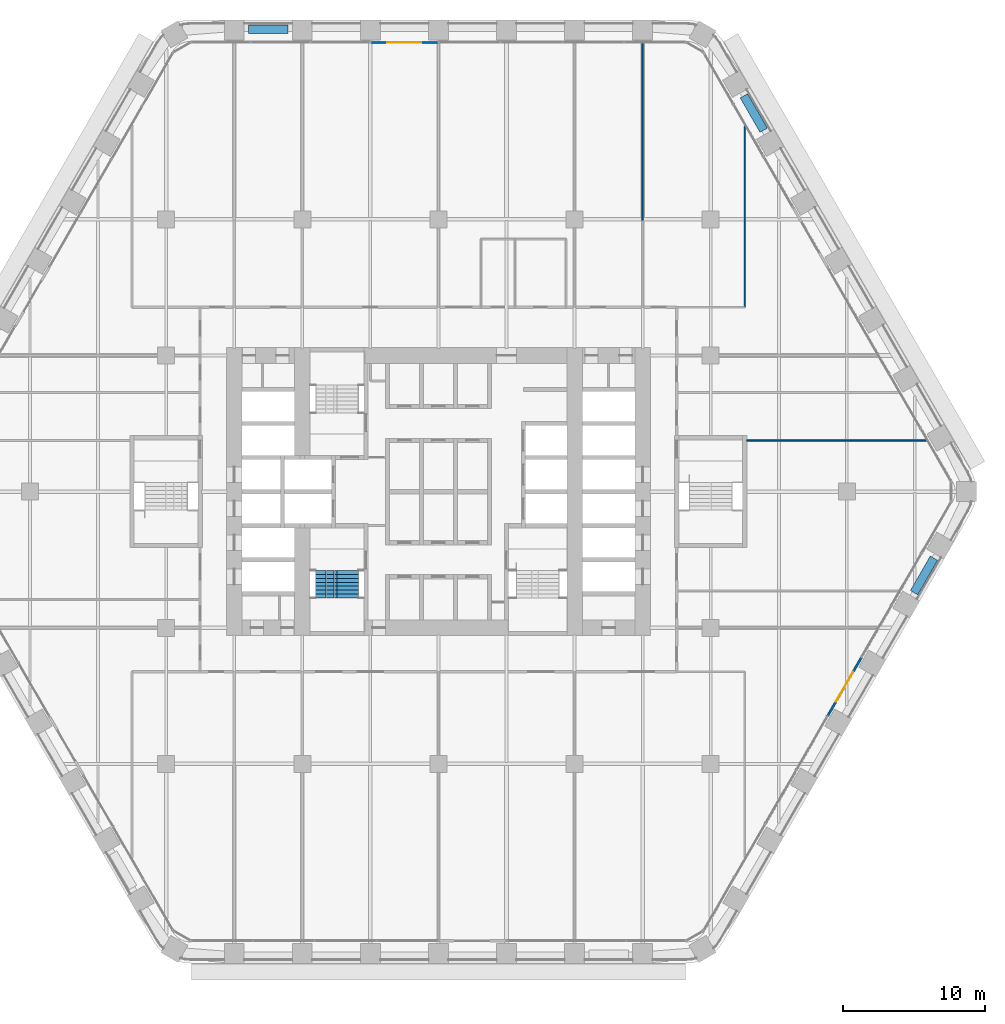
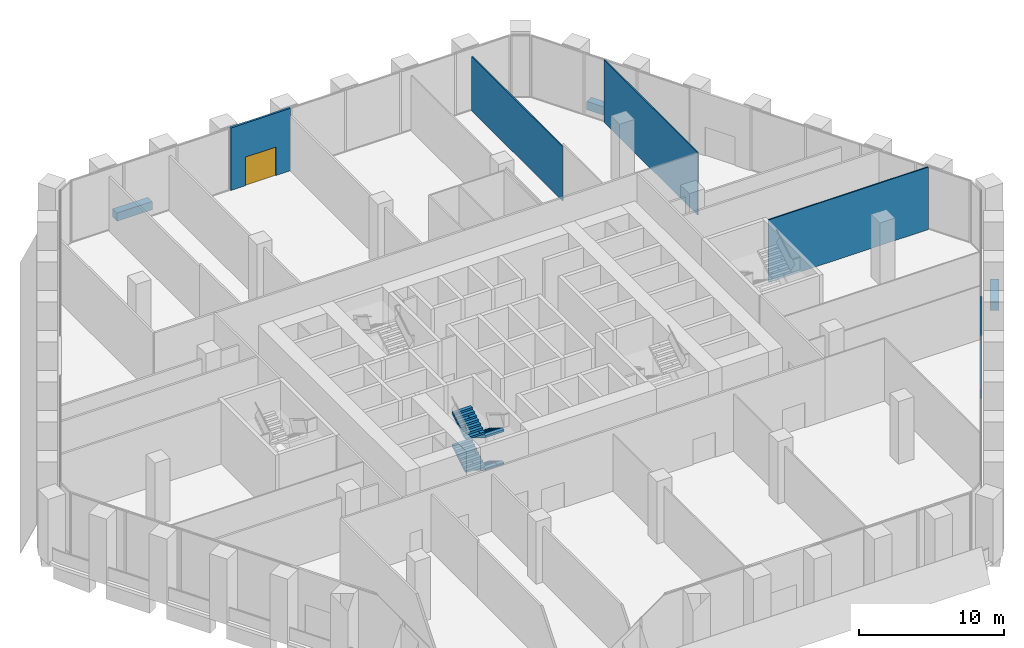
# One storey, part 22 of 27: 8 walls, 4 stair flights, 2 doors, 2 openings, 1 element without a shape of its own.
"""IFC4 building model written with IfcOpenShell, lengths in metres."""

from ifc_helpers import new_model, si_unit, direction, frame, frame_2d, origin, place, context, subcontext, project, spatial, polyline, rectangle, outline, extrude, material, layer, layer_set, type_object, element, fill, aggregate, save


model = new_model("IFC4")

# Units and contexts
model_context = context("Model", 3, precision=1e-05, world=origin(), true_north=direction((0.0, 1.0)))
body_context = subcontext(model_context, "Body", "Model", "MODEL_VIEW")
ifc_project = project(units=[si_unit("LENGTHUNIT", "METRE"), si_unit("AREAUNIT", "SQUARE_METRE"), si_unit("VOLUMEUNIT", "CUBIC_METRE"), si_unit("PLANEANGLEUNIT", "RADIAN"), si_unit("MASSUNIT", "GRAM", prefix="KILO")], contexts=[model_context])

# Site, building, storey
site_placement = place(None, origin())
site = spatial("IfcSite", under=ifc_project, at=site_placement, CompositionType="ELEMENT")
building_placement = place(site_placement, origin())
building = spatial("IfcBuilding", under=site, at=building_placement, Name="Kolab Exchange Tower", CompositionType="ELEMENT")
storey_placement = place(building_placement, frame((0.0, 0.0, 27.89990234375)))
storey = spatial("IfcBuildingStorey", under=building, at=storey_placement, Name="L05", CompositionType="ELEMENT", Elevation=27.89990234375)

# Wall, opening, door
ifc_material_1 = material(Name="Aluminium EN AW-6063 T6", Category="aluminium")
ifc_layer_1 = layer(ifc_material_1, 0.159912109375)
ifc_layer_set_1 = layer_set([ifc_layer_1], Name="Aluminium EN AW-6063 T6")
wall_type_1 = type_object("IfcWallType", Name="DOOR SURROUND WALL 160 ALUMINIUM FRAMED", PredefinedType="PARTITIONING", material=ifc_layer_set_1)
wall_1_placement = place(storey_placement, frame((-4.77001953125, 31.67529296875, 0.0), z_axis=(0.0, 0.0, 1.0), x_axis=(1.0, 0.0, 0.0)))
wall_1 = element("IfcWall", 1, at=wall_1_placement, inside=storey, type_object=wall_type_1, Name="Door surround wall", PredefinedType="PARTITIONING", context=body_context, shape_type="SweptSolid", body=[
    extrude(rectangle(XDim=4.739990234375, YDim=0.159912109375, at=frame_2d((2.3701171875, 0.0))), origin(), (0.0, 0.0, 1.0), 5.25),
])
opening_1_placement = place(wall_1_placement, frame((1.169921875, 0.0, 0.0)))
opening_1 = element("IfcOpeningElement", 2, at=opening_1_placement, cuts=wall_1, Name="Opening GD1-017", PredefinedType="OPENING", context=body_context, shape_type="SweptSolid", body=[
    extrude(rectangle(XDim=2.39990234375, YDim=2.39990234375, at=frame_2d((1.199951171875, 1.199951171875))), frame((0.0, 0.08984375, 0.0), z_axis=(0.0, -1.0, 0.0), x_axis=(1.0, 0.0, 0.0)), (0.0, 0.0, 1.0), 0.179931640625),
])
door_type = type_object("IfcDoorType", Name="LOGGIA SLIDING GLASS DOOR 2400 X 2400", OperationType="DOUBLE_DOOR_SINGLE_SWING", PredefinedType="DOOR", material=ifc_material_1)
door_1_placement = place(opening_1_placement, origin())
door_1 = element("IfcDoor", 3, at=door_1_placement, inside=storey, type_object=door_type, Name="Loggia door", OperationType="DOUBLE_DOOR_SLIDING", OverallHeight=2.39990234375, OverallWidth=2.39990234375, PredefinedType="DOOR", context=body_context, shape_type="SweptSolid", body=[
    extrude(rectangle(XDim=2.39990234375, YDim=2.39990234375, at=frame_2d((1.199951171875, 1.199951171875))), frame((0.0, 0.02490234375, 0.0), z_axis=(0.0, -1.0, 0.0), x_axis=(1.0, 0.0, 0.0)), (0.0, 0.0, 1.0), 0.050048828125),
])
fill(opening_1, door_1)

wall_2_placement = place(storey_placement, frame((29.816650390625, -11.706787109375, 0.0), z_axis=(0.0, 0.0, 1.0), x_axis=(-0.499978080042, -0.866038058908, 0.0)))
wall_2 = element("IfcWall", 4, at=wall_2_placement, inside=storey, type_object=wall_type_1, Name="Door surround wall", PredefinedType="PARTITIONING", context=body_context, shape_type="SweptSolid", body=[
    extrude(rectangle(XDim=4.739990234375, YDim=0.159912109375, at=frame_2d((2.3701171875, 0.0))), origin(), (0.0, 0.0, 1.0), 5.25),
])
opening_2_placement = place(wall_2_placement, frame((1.169921875, 0.0, 0.0)))
opening_2 = element("IfcOpeningElement", 5, at=opening_2_placement, cuts=wall_2, Name="Opening GD1-019", PredefinedType="OPENING", context=body_context, shape_type="SweptSolid", body=[
    extrude(rectangle(XDim=2.39990234375, YDim=2.39990234375, at=frame_2d((1.199951171875, 1.199951171875))), frame((0.0, 0.08984375, 0.0), z_axis=(0.0, -1.0, 0.0), x_axis=(1.0, 0.0, 0.0)), (0.0, 0.0, 1.0), 0.179931640625),
])
door_2_placement = place(opening_2_placement, origin())
door_2 = element("IfcDoor", 6, at=door_2_placement, inside=storey, type_object=door_type, Name="Loggia door", OperationType="DOUBLE_DOOR_SLIDING", OverallHeight=2.39990234375, OverallWidth=2.39990234375, PredefinedType="DOOR", context=body_context, shape_type="SweptSolid", body=[
    extrude(rectangle(XDim=2.39990234375, YDim=2.39990234375, at=frame_2d((1.199951171875, 1.199951171875))), frame((0.0, 0.02490234375, 0.0), z_axis=(0.0, -1.0, 0.0), x_axis=(1.0, 0.0, 0.0)), (0.0, 0.0, 1.0), 0.050048828125),
])
fill(opening_2, door_2)

# Walls
ifc_material_2 = material(Name="Gypsum board", Category="gypsum")
ifc_layer_2 = layer(ifc_material_2, 0.10009765625)
ifc_layer_set_2 = layer_set([ifc_layer_2], Name="Gypsum board")
wall_type_2 = type_object("IfcWallType", Name="PARTITION 100", PredefinedType="PARTITIONING", material=ifc_layer_set_2)
wall_3_placement = place(storey_placement, frame((21.60009765625, 13.0, 0.0), z_axis=(0.0, 0.0, 1.0), x_axis=(0.0, 1.0, 0.0)))
element("IfcWall", 7, at=wall_3_placement, inside=storey, type_object=wall_type_2, Name="Partition 001", PredefinedType="PARTITIONING", context=body_context, shape_type="SweptSolid", body=[
    extrude(rectangle(XDim=12.8583984375, YDim=0.10009765625, at=frame_2d((6.42919921875, 0.0))), origin(), (0.0, 0.0, 1.0), 5.25),
])
wall_4_placement = place(storey_placement, frame((14.39990234375, 19.113037109375, 0.0), z_axis=(0.0, 0.0, 1.0), x_axis=(0.0, 1.0, 0.0)))
element("IfcWall", 8, at=wall_4_placement, inside=storey, type_object=wall_type_2, Name="Partition 004", PredefinedType="PARTITIONING", context=body_context, shape_type="SweptSolid", body=[
    extrude(rectangle(XDim=12.472412109375, YDim=0.10009765625, at=frame_2d((6.236328125, 0.0))), origin(), (0.0, 0.0, 1.0), 4.566162109375),
])
wall_5_placement = place(storey_placement, frame((21.75, 3.60009765625, 0.0), z_axis=(0.0, 0.0, 1.0), x_axis=(1.0, 0.0, 0.0)))
element("IfcWall", 9, at=wall_5_placement, inside=storey, type_object=wall_type_2, Name="Partition 039", PredefinedType="PARTITIONING", context=body_context, shape_type="SweptSolid", body=[
    extrude(rectangle(XDim=12.700927734375, YDim=0.10009765625, at=frame_2d((6.3505859375, 0.0))), origin(), (0.0, 0.0, 1.0), 5.25),
])
ifc_material_3 = material(Name="Granite facing", Category="masonry")
ifc_layer_3 = layer(ifc_material_3, 0.0400390625)
ifc_material_4 = material(Name="Concrete C40/50 precast", Category="concrete")
ifc_layer_4 = layer(ifc_material_4, 0.56005859375)
ifc_layer_set_3 = layer_set([ifc_layer_3, ifc_layer_4], Name="Concrete C40/50 precast")
wall_type_3 = type_object("IfcWallType", Name="PLANTER BOX 600 X 700 SOIL DEPTH 550", PredefinedType="USERDEFINED", material=ifc_layer_set_3)
for number, where, z_axis, x_axis, name in (
    (10, (-13.39990234375, 32.60546875, 0.0), (0.0, 0.0, 1.0), (1.0, 0.0, 0.0), "Planter"),
    (11, (21.537109375, 27.907470703125, 0.0), (0.0, 0.0, 1.0), (0.49998411664, -0.866034573852, 0.0), "Planter"),
    (12, (34.93701171875, -4.697998046875, 0.0), (0.0, 0.0, 1.0), (-0.49998411664, -0.866034573852, 0.0), "Planter"),
):
    element("IfcWall", number, at=place(storey_placement, frame(where, z_axis=z_axis, x_axis=x_axis)), inside=storey, type_object=wall_type_3, Name=name, ObjectType="PLANTER", PredefinedType="USERDEFINED", context=body_context, shape_type="SweptSolid", body=[
        extrude(rectangle(XDim=2.7998046875, YDim=0.60009765625, at=frame_2d((1.39990234375, 0.0))), origin(), (0.0, 0.0, 1.0), 0.7001953125),
    ])

# Stair, stair flights
ifc_material_5 = material(Name="Concrete C50/60", Category="concrete")
stair_type = type_object("IfcStairType", Name="STAIR ST3 RISER 171.9", PredefinedType="DOUBLE_RETURN_STAIR", material=ifc_material_5)
stair_placement = place(storey_placement, origin())
stair = element("IfcStair", 13, at=stair_placement, inside=storey, type_object=stair_type, Name="Stair 3", PredefinedType="DOUBLE_RETURN_STAIR")
stair_flight_type = type_object("IfcStairFlightType", Name="STAIR FLIGHT 1500 RISER 171.9", PredefinedType="STRAIGHT", material=ifc_material_5)
stair_flight_1_placement = place(storey_placement, frame((-6.389892578125, -5.550048828125, 0.0), z_axis=(0.0, 0.0, 1.0), x_axis=(0.0, -1.0, 0.0)))
stair_flight_1 = element("IfcStairFlight", 14, at=stair_flight_1_placement, type_object=stair_flight_type, Name="ST3 flight 1", NumberOfRisers=8, NumberOfTreads=7, PredefinedType="STRAIGHT", RiserHeight=0.171875, TreadLength=0.28, context=body_context, shape_type="SweptSolid", body=[
    extrude(outline(polyline([(0.0, 0.0), (0.0, 0.171875), (0.280029296875, 0.171875), (0.280029296875, 0.34375), (0.56005859375, 0.34375), (0.56005859375, 0.515625), (0.840087890625, 0.515625), (0.840087890625, 0.6875), (1.1201171875, 0.6875), (1.1201171875, 0.859375), (1.39990234375, 0.859375), (1.39990234375, 1.03125), (1.679931640625, 1.03125), (1.679931640625, 1.203125), (1.9599609375, 1.203125), (1.9599609375, 1.375), (1.9599609375, 1.02734375), (0.28662109375, 0.0), (0.0, 0.0)])), frame((0.0, 0.75, 0.0), z_axis=(0.0, -1.0, 0.0), x_axis=(1.0, 0.0, 0.0)), (0.0, 0.0, 1.0), 0.185791015625),
    extrude(outline(polyline([(0.0, 0.0), (0.0, 0.171875), (0.280029296875, 0.171875), (0.280029296875, 0.34375), (0.56005859375, 0.34375), (0.56005859375, 0.515625), (0.840087890625, 0.515625), (0.840087890625, 0.6875), (1.1201171875, 0.6875), (1.1201171875, 0.859375), (1.39990234375, 0.859375), (1.39990234375, 1.03125), (1.679931640625, 1.03125), (1.679931640625, 1.203125), (1.9599609375, 1.203125), (1.9599609375, 1.375), (1.9599609375, 1.02734375), (0.28662109375, 0.0), (0.0, 0.0)])), frame((0.0, 0.562255859375, 0.0), z_axis=(0.0, -1.0, 0.0), x_axis=(1.0, 0.0, 0.0)), (0.0, 0.0, 1.0), 0.185791015625),
    extrude(outline(polyline([(0.0, 0.0), (0.0, 0.171875), (0.280029296875, 0.171875), (0.280029296875, 0.34375), (0.56005859375, 0.34375), (0.56005859375, 0.515625), (0.840087890625, 0.515625), (0.840087890625, 0.6875), (1.1201171875, 0.6875), (1.1201171875, 0.859375), (1.39990234375, 0.859375), (1.39990234375, 1.03125), (1.679931640625, 1.03125), (1.679931640625, 1.203125), (1.9599609375, 1.203125), (1.9599609375, 1.375), (1.9599609375, 1.02734375), (0.28662109375, 0.0), (0.0, 0.0)])), frame((0.0, 0.37451171875, 0.0), z_axis=(0.0, -1.0, 0.0), x_axis=(1.0, 0.0, 0.0)), (0.0, 0.0, 1.0), 0.185791015625),
    extrude(outline(polyline([(0.0, 0.0), (0.0, 0.171875), (0.280029296875, 0.171875), (0.280029296875, 0.34375), (0.56005859375, 0.34375), (0.56005859375, 0.515625), (0.840087890625, 0.515625), (0.840087890625, 0.6875), (1.1201171875, 0.6875), (1.1201171875, 0.859375), (1.39990234375, 0.859375), (1.39990234375, 1.03125), (1.679931640625, 1.03125), (1.679931640625, 1.203125), (1.9599609375, 1.203125), (1.9599609375, 1.375), (1.9599609375, 1.02734375), (0.28662109375, 0.0), (0.0, 0.0)])), frame((0.0, 0.186767578125, 0.0), z_axis=(0.0, -1.0, 0.0), x_axis=(1.0, 0.0, 0.0)), (0.0, 0.0, 1.0), 0.185791015625),
    extrude(outline(polyline([(0.0, 0.0), (0.0, 0.171875), (0.280029296875, 0.171875), (0.280029296875, 0.34375), (0.56005859375, 0.34375), (0.56005859375, 0.515625), (0.840087890625, 0.515625), (0.840087890625, 0.6875), (1.1201171875, 0.6875), (1.1201171875, 0.859375), (1.39990234375, 0.859375), (1.39990234375, 1.03125), (1.679931640625, 1.03125), (1.679931640625, 1.203125), (1.9599609375, 1.203125), (1.9599609375, 1.375), (1.9599609375, 1.02734375), (0.28662109375, 0.0), (0.0, 0.0)])), frame((0.0, -0.0009765625, 0.0), z_axis=(0.0, -1.0, 0.0), x_axis=(1.0, 0.0, 0.0)), (0.0, 0.0, 1.0), 0.185791015625),
    extrude(outline(polyline([(0.0, 0.0), (0.0, 0.171875), (0.280029296875, 0.171875), (0.280029296875, 0.34375), (0.56005859375, 0.34375), (0.56005859375, 0.515625), (0.840087890625, 0.515625), (0.840087890625, 0.6875), (1.1201171875, 0.6875), (1.1201171875, 0.859375), (1.39990234375, 0.859375), (1.39990234375, 1.03125), (1.679931640625, 1.03125), (1.679931640625, 1.203125), (1.9599609375, 1.203125), (1.9599609375, 1.375), (1.9599609375, 1.02734375), (0.28662109375, 0.0), (0.0, 0.0)])), frame((0.0, -0.188720703125, 0.0), z_axis=(0.0, -1.0, 0.0), x_axis=(1.0, 0.0, 0.0)), (0.0, 0.0, 1.0), 0.185791015625),
    extrude(outline(polyline([(0.0, 0.0), (0.0, 0.171875), (0.280029296875, 0.171875), (0.280029296875, 0.34375), (0.56005859375, 0.34375), (0.56005859375, 0.515625), (0.840087890625, 0.515625), (0.840087890625, 0.6875), (1.1201171875, 0.6875), (1.1201171875, 0.859375), (1.39990234375, 0.859375), (1.39990234375, 1.03125), (1.679931640625, 1.03125), (1.679931640625, 1.203125), (1.9599609375, 1.203125), (1.9599609375, 1.375), (1.9599609375, 1.02734375), (0.28662109375, 0.0), (0.0, 0.0)])), frame((0.0, -0.37646484375, 0.0), z_axis=(0.0, -1.0, 0.0), x_axis=(1.0, 0.0, 0.0)), (0.0, 0.0, 1.0), 0.185791015625),
    extrude(outline(polyline([(0.0, 0.0), (0.0, 0.171875), (0.280029296875, 0.171875), (0.280029296875, 0.34375), (0.56005859375, 0.34375), (0.56005859375, 0.515625), (0.840087890625, 0.515625), (0.840087890625, 0.6875), (1.1201171875, 0.6875), (1.1201171875, 0.859375), (1.39990234375, 0.859375), (1.39990234375, 1.03125), (1.679931640625, 1.03125), (1.679931640625, 1.203125), (1.9599609375, 1.203125), (1.9599609375, 1.375), (1.9599609375, 1.02734375), (0.28662109375, 0.0), (0.0, 0.0)])), frame((0.0, -0.564208984375, 0.0), z_axis=(0.0, -1.0, 0.0), x_axis=(1.0, 0.0, 0.0)), (0.0, 0.0, 1.0), 0.185791015625),
])
stair_flight_2_placement = place(storey_placement, frame((-7.909912109375, -7.510009765625, 1.375), z_axis=(0.0, 0.0, 1.0), x_axis=(0.0, 1.0, 0.0)))
stair_flight_2 = element("IfcStairFlight", 15, at=stair_flight_2_placement, type_object=stair_flight_type, Name="ST3 flight 2", NumberOfRisers=8, NumberOfTreads=7, PredefinedType="STRAIGHT", RiserHeight=0.171875, TreadLength=0.28, context=body_context, shape_type="SweptSolid", body=[
    extrude(outline(polyline([(0.0, 0.0), (0.0, 0.171875), (0.280029296875, 0.171875), (0.280029296875, 0.34375), (0.56005859375, 0.34375), (0.56005859375, 0.515625), (0.840087890625, 0.515625), (0.840087890625, 0.6875), (1.1201171875, 0.6875), (1.1201171875, 0.859375), (1.39990234375, 0.859375), (1.39990234375, 1.03125), (1.679931640625, 1.03125), (1.679931640625, 1.203125), (1.9599609375, 1.203125), (1.9599609375, 1.375), (1.9599609375, 1.02734375), (0.28662109375, 0.0), (0.0, 0.0)])), frame((0.0, 0.75, 0.0), z_axis=(0.0, -1.0, 0.0), x_axis=(1.0, 0.0, 0.0)), (0.0, 0.0, 1.0), 0.185791015625),
    extrude(outline(polyline([(0.0, 0.0), (0.0, 0.171875), (0.280029296875, 0.171875), (0.280029296875, 0.34375), (0.56005859375, 0.34375), (0.56005859375, 0.515625), (0.840087890625, 0.515625), (0.840087890625, 0.6875), (1.1201171875, 0.6875), (1.1201171875, 0.859375), (1.39990234375, 0.859375), (1.39990234375, 1.03125), (1.679931640625, 1.03125), (1.679931640625, 1.203125), (1.9599609375, 1.203125), (1.9599609375, 1.375), (1.9599609375, 1.02734375), (0.28662109375, 0.0), (0.0, 0.0)])), frame((0.0, 0.562255859375, 0.0), z_axis=(0.0, -1.0, 0.0), x_axis=(1.0, 0.0, 0.0)), (0.0, 0.0, 1.0), 0.185791015625),
    extrude(outline(polyline([(0.0, 0.0), (0.0, 0.171875), (0.280029296875, 0.171875), (0.280029296875, 0.34375), (0.56005859375, 0.34375), (0.56005859375, 0.515625), (0.840087890625, 0.515625), (0.840087890625, 0.6875), (1.1201171875, 0.6875), (1.1201171875, 0.859375), (1.39990234375, 0.859375), (1.39990234375, 1.03125), (1.679931640625, 1.03125), (1.679931640625, 1.203125), (1.9599609375, 1.203125), (1.9599609375, 1.375), (1.9599609375, 1.02734375), (0.28662109375, 0.0), (0.0, 0.0)])), frame((0.0, 0.37451171875, 0.0), z_axis=(0.0, -1.0, 0.0), x_axis=(1.0, 0.0, 0.0)), (0.0, 0.0, 1.0), 0.185791015625),
    extrude(outline(polyline([(0.0, 0.0), (0.0, 0.171875), (0.280029296875, 0.171875), (0.280029296875, 0.34375), (0.56005859375, 0.34375), (0.56005859375, 0.515625), (0.840087890625, 0.515625), (0.840087890625, 0.6875), (1.1201171875, 0.6875), (1.1201171875, 0.859375), (1.39990234375, 0.859375), (1.39990234375, 1.03125), (1.679931640625, 1.03125), (1.679931640625, 1.203125), (1.9599609375, 1.203125), (1.9599609375, 1.375), (1.9599609375, 1.02734375), (0.28662109375, 0.0), (0.0, 0.0)])), frame((0.0, 0.186767578125, 0.0), z_axis=(0.0, -1.0, 0.0), x_axis=(1.0, 0.0, 0.0)), (0.0, 0.0, 1.0), 0.185791015625),
    extrude(outline(polyline([(0.0, 0.0), (0.0, 0.171875), (0.280029296875, 0.171875), (0.280029296875, 0.34375), (0.56005859375, 0.34375), (0.56005859375, 0.515625), (0.840087890625, 0.515625), (0.840087890625, 0.6875), (1.1201171875, 0.6875), (1.1201171875, 0.859375), (1.39990234375, 0.859375), (1.39990234375, 1.03125), (1.679931640625, 1.03125), (1.679931640625, 1.203125), (1.9599609375, 1.203125), (1.9599609375, 1.375), (1.9599609375, 1.02734375), (0.28662109375, 0.0), (0.0, 0.0)])), frame((0.0, -0.0009765625, 0.0), z_axis=(0.0, -1.0, 0.0), x_axis=(1.0, 0.0, 0.0)), (0.0, 0.0, 1.0), 0.185791015625),
    extrude(outline(polyline([(0.0, 0.0), (0.0, 0.171875), (0.280029296875, 0.171875), (0.280029296875, 0.34375), (0.56005859375, 0.34375), (0.56005859375, 0.515625), (0.840087890625, 0.515625), (0.840087890625, 0.6875), (1.1201171875, 0.6875), (1.1201171875, 0.859375), (1.39990234375, 0.859375), (1.39990234375, 1.03125), (1.679931640625, 1.03125), (1.679931640625, 1.203125), (1.9599609375, 1.203125), (1.9599609375, 1.375), (1.9599609375, 1.02734375), (0.28662109375, 0.0), (0.0, 0.0)])), frame((0.0, -0.188720703125, 0.0), z_axis=(0.0, -1.0, 0.0), x_axis=(1.0, 0.0, 0.0)), (0.0, 0.0, 1.0), 0.185791015625),
    extrude(outline(polyline([(0.0, 0.0), (0.0, 0.171875), (0.280029296875, 0.171875), (0.280029296875, 0.34375), (0.56005859375, 0.34375), (0.56005859375, 0.515625), (0.840087890625, 0.515625), (0.840087890625, 0.6875), (1.1201171875, 0.6875), (1.1201171875, 0.859375), (1.39990234375, 0.859375), (1.39990234375, 1.03125), (1.679931640625, 1.03125), (1.679931640625, 1.203125), (1.9599609375, 1.203125), (1.9599609375, 1.375), (1.9599609375, 1.02734375), (0.28662109375, 0.0), (0.0, 0.0)])), frame((0.0, -0.37646484375, 0.0), z_axis=(0.0, -1.0, 0.0), x_axis=(1.0, 0.0, 0.0)), (0.0, 0.0, 1.0), 0.185791015625),
    extrude(outline(polyline([(0.0, 0.0), (0.0, 0.171875), (0.280029296875, 0.171875), (0.280029296875, 0.34375), (0.56005859375, 0.34375), (0.56005859375, 0.515625), (0.840087890625, 0.515625), (0.840087890625, 0.6875), (1.1201171875, 0.6875), (1.1201171875, 0.859375), (1.39990234375, 0.859375), (1.39990234375, 1.03125), (1.679931640625, 1.03125), (1.679931640625, 1.203125), (1.9599609375, 1.203125), (1.9599609375, 1.375), (1.9599609375, 1.02734375), (0.28662109375, 0.0), (0.0, 0.0)])), frame((0.0, -0.564208984375, 0.0), z_axis=(0.0, -1.0, 0.0), x_axis=(1.0, 0.0, 0.0)), (0.0, 0.0, 1.0), 0.185791015625),
])
stair_flight_3_placement = place(storey_placement, frame((-6.389892578125, -5.550048828125, 2.75), z_axis=(0.0, 0.0, 1.0), x_axis=(0.0, -1.0, 0.0)))
stair_flight_3 = element("IfcStairFlight", 16, at=stair_flight_3_placement, type_object=stair_flight_type, Name="ST3 flight 3", NumberOfRisers=8, NumberOfTreads=7, PredefinedType="STRAIGHT", RiserHeight=0.171875, TreadLength=0.28, context=body_context, shape_type="SweptSolid", body=[
    extrude(outline(polyline([(0.0, 0.0), (0.0, 0.171875), (0.280029296875, 0.171875), (0.280029296875, 0.34375), (0.56005859375, 0.34375), (0.56005859375, 0.515625), (0.840087890625, 0.515625), (0.840087890625, 0.6875), (1.1201171875, 0.6875), (1.1201171875, 0.859375), (1.39990234375, 0.859375), (1.39990234375, 1.03125), (1.679931640625, 1.03125), (1.679931640625, 1.203125), (1.9599609375, 1.203125), (1.9599609375, 1.375), (1.9599609375, 1.02734375), (0.28662109375, 0.0), (0.0, 0.0)])), frame((0.0, 0.75, 0.0), z_axis=(0.0, -1.0, 0.0), x_axis=(1.0, 0.0, 0.0)), (0.0, 0.0, 1.0), 0.185791015625),
    extrude(outline(polyline([(0.0, 0.0), (0.0, 0.171875), (0.280029296875, 0.171875), (0.280029296875, 0.34375), (0.56005859375, 0.34375), (0.56005859375, 0.515625), (0.840087890625, 0.515625), (0.840087890625, 0.6875), (1.1201171875, 0.6875), (1.1201171875, 0.859375), (1.39990234375, 0.859375), (1.39990234375, 1.03125), (1.679931640625, 1.03125), (1.679931640625, 1.203125), (1.9599609375, 1.203125), (1.9599609375, 1.375), (1.9599609375, 1.02734375), (0.28662109375, 0.0), (0.0, 0.0)])), frame((0.0, 0.562255859375, 0.0), z_axis=(0.0, -1.0, 0.0), x_axis=(1.0, 0.0, 0.0)), (0.0, 0.0, 1.0), 0.185791015625),
    extrude(outline(polyline([(0.0, 0.0), (0.0, 0.171875), (0.280029296875, 0.171875), (0.280029296875, 0.34375), (0.56005859375, 0.34375), (0.56005859375, 0.515625), (0.840087890625, 0.515625), (0.840087890625, 0.6875), (1.1201171875, 0.6875), (1.1201171875, 0.859375), (1.39990234375, 0.859375), (1.39990234375, 1.03125), (1.679931640625, 1.03125), (1.679931640625, 1.203125), (1.9599609375, 1.203125), (1.9599609375, 1.375), (1.9599609375, 1.02734375), (0.28662109375, 0.0), (0.0, 0.0)])), frame((0.0, 0.37451171875, 0.0), z_axis=(0.0, -1.0, 0.0), x_axis=(1.0, 0.0, 0.0)), (0.0, 0.0, 1.0), 0.185791015625),
    extrude(outline(polyline([(0.0, 0.0), (0.0, 0.171875), (0.280029296875, 0.171875), (0.280029296875, 0.34375), (0.56005859375, 0.34375), (0.56005859375, 0.515625), (0.840087890625, 0.515625), (0.840087890625, 0.6875), (1.1201171875, 0.6875), (1.1201171875, 0.859375), (1.39990234375, 0.859375), (1.39990234375, 1.03125), (1.679931640625, 1.03125), (1.679931640625, 1.203125), (1.9599609375, 1.203125), (1.9599609375, 1.375), (1.9599609375, 1.02734375), (0.28662109375, 0.0), (0.0, 0.0)])), frame((0.0, 0.186767578125, 0.0), z_axis=(0.0, -1.0, 0.0), x_axis=(1.0, 0.0, 0.0)), (0.0, 0.0, 1.0), 0.185791015625),
    extrude(outline(polyline([(0.0, 0.0), (0.0, 0.171875), (0.280029296875, 0.171875), (0.280029296875, 0.34375), (0.56005859375, 0.34375), (0.56005859375, 0.515625), (0.840087890625, 0.515625), (0.840087890625, 0.6875), (1.1201171875, 0.6875), (1.1201171875, 0.859375), (1.39990234375, 0.859375), (1.39990234375, 1.03125), (1.679931640625, 1.03125), (1.679931640625, 1.203125), (1.9599609375, 1.203125), (1.9599609375, 1.375), (1.9599609375, 1.02734375), (0.28662109375, 0.0), (0.0, 0.0)])), frame((0.0, -0.0009765625, 0.0), z_axis=(0.0, -1.0, 0.0), x_axis=(1.0, 0.0, 0.0)), (0.0, 0.0, 1.0), 0.185791015625),
    extrude(outline(polyline([(0.0, 0.0), (0.0, 0.171875), (0.280029296875, 0.171875), (0.280029296875, 0.34375), (0.56005859375, 0.34375), (0.56005859375, 0.515625), (0.840087890625, 0.515625), (0.840087890625, 0.6875), (1.1201171875, 0.6875), (1.1201171875, 0.859375), (1.39990234375, 0.859375), (1.39990234375, 1.03125), (1.679931640625, 1.03125), (1.679931640625, 1.203125), (1.9599609375, 1.203125), (1.9599609375, 1.375), (1.9599609375, 1.02734375), (0.28662109375, 0.0), (0.0, 0.0)])), frame((0.0, -0.188720703125, 0.0), z_axis=(0.0, -1.0, 0.0), x_axis=(1.0, 0.0, 0.0)), (0.0, 0.0, 1.0), 0.185791015625),
    extrude(outline(polyline([(0.0, 0.0), (0.0, 0.171875), (0.280029296875, 0.171875), (0.280029296875, 0.34375), (0.56005859375, 0.34375), (0.56005859375, 0.515625), (0.840087890625, 0.515625), (0.840087890625, 0.6875), (1.1201171875, 0.6875), (1.1201171875, 0.859375), (1.39990234375, 0.859375), (1.39990234375, 1.03125), (1.679931640625, 1.03125), (1.679931640625, 1.203125), (1.9599609375, 1.203125), (1.9599609375, 1.375), (1.9599609375, 1.02734375), (0.28662109375, 0.0), (0.0, 0.0)])), frame((0.0, -0.37646484375, 0.0), z_axis=(0.0, -1.0, 0.0), x_axis=(1.0, 0.0, 0.0)), (0.0, 0.0, 1.0), 0.185791015625),
    extrude(outline(polyline([(0.0, 0.0), (0.0, 0.171875), (0.280029296875, 0.171875), (0.280029296875, 0.34375), (0.56005859375, 0.34375), (0.56005859375, 0.515625), (0.840087890625, 0.515625), (0.840087890625, 0.6875), (1.1201171875, 0.6875), (1.1201171875, 0.859375), (1.39990234375, 0.859375), (1.39990234375, 1.03125), (1.679931640625, 1.03125), (1.679931640625, 1.203125), (1.9599609375, 1.203125), (1.9599609375, 1.375), (1.9599609375, 1.02734375), (0.28662109375, 0.0), (0.0, 0.0)])), frame((0.0, -0.564208984375, 0.0), z_axis=(0.0, -1.0, 0.0), x_axis=(1.0, 0.0, 0.0)), (0.0, 0.0, 1.0), 0.185791015625),
])
stair_flight_4_placement = place(storey_placement, frame((-7.909912109375, -7.510009765625, 4.125), z_axis=(0.0, 0.0, 1.0), x_axis=(0.0, 1.0, 0.0)))
stair_flight_4 = element("IfcStairFlight", 17, at=stair_flight_4_placement, type_object=stair_flight_type, Name="ST3 flight 4", NumberOfRisers=8, NumberOfTreads=7, PredefinedType="STRAIGHT", RiserHeight=0.171875, TreadLength=0.28, context=body_context, shape_type="SweptSolid", body=[
    extrude(outline(polyline([(0.0, 0.0), (0.0, 0.171875), (0.280029296875, 0.171875), (0.280029296875, 0.34375), (0.56005859375, 0.34375), (0.56005859375, 0.515625), (0.840087890625, 0.515625), (0.840087890625, 0.6875), (1.1201171875, 0.6875), (1.1201171875, 0.859375), (1.39990234375, 0.859375), (1.39990234375, 1.03125), (1.679931640625, 1.03125), (1.679931640625, 1.203125), (1.9599609375, 1.203125), (1.9599609375, 1.375), (1.9599609375, 1.02734375), (0.28662109375, 0.0), (0.0, 0.0)])), frame((0.0, 0.75, 0.0), z_axis=(0.0, -1.0, 0.0), x_axis=(1.0, 0.0, 0.0)), (0.0, 0.0, 1.0), 0.185791015625),
    extrude(outline(polyline([(0.0, 0.0), (0.0, 0.171875), (0.280029296875, 0.171875), (0.280029296875, 0.34375), (0.56005859375, 0.34375), (0.56005859375, 0.515625), (0.840087890625, 0.515625), (0.840087890625, 0.6875), (1.1201171875, 0.6875), (1.1201171875, 0.859375), (1.39990234375, 0.859375), (1.39990234375, 1.03125), (1.679931640625, 1.03125), (1.679931640625, 1.203125), (1.9599609375, 1.203125), (1.9599609375, 1.375), (1.9599609375, 1.02734375), (0.28662109375, 0.0), (0.0, 0.0)])), frame((0.0, 0.562255859375, 0.0), z_axis=(0.0, -1.0, 0.0), x_axis=(1.0, 0.0, 0.0)), (0.0, 0.0, 1.0), 0.185791015625),
    extrude(outline(polyline([(0.0, 0.0), (0.0, 0.171875), (0.280029296875, 0.171875), (0.280029296875, 0.34375), (0.56005859375, 0.34375), (0.56005859375, 0.515625), (0.840087890625, 0.515625), (0.840087890625, 0.6875), (1.1201171875, 0.6875), (1.1201171875, 0.859375), (1.39990234375, 0.859375), (1.39990234375, 1.03125), (1.679931640625, 1.03125), (1.679931640625, 1.203125), (1.9599609375, 1.203125), (1.9599609375, 1.375), (1.9599609375, 1.02734375), (0.28662109375, 0.0), (0.0, 0.0)])), frame((0.0, 0.37451171875, 0.0), z_axis=(0.0, -1.0, 0.0), x_axis=(1.0, 0.0, 0.0)), (0.0, 0.0, 1.0), 0.185791015625),
    extrude(outline(polyline([(0.0, 0.0), (0.0, 0.171875), (0.280029296875, 0.171875), (0.280029296875, 0.34375), (0.56005859375, 0.34375), (0.56005859375, 0.515625), (0.840087890625, 0.515625), (0.840087890625, 0.6875), (1.1201171875, 0.6875), (1.1201171875, 0.859375), (1.39990234375, 0.859375), (1.39990234375, 1.03125), (1.679931640625, 1.03125), (1.679931640625, 1.203125), (1.9599609375, 1.203125), (1.9599609375, 1.375), (1.9599609375, 1.02734375), (0.28662109375, 0.0), (0.0, 0.0)])), frame((0.0, 0.186767578125, 0.0), z_axis=(0.0, -1.0, 0.0), x_axis=(1.0, 0.0, 0.0)), (0.0, 0.0, 1.0), 0.185791015625),
    extrude(outline(polyline([(0.0, 0.0), (0.0, 0.171875), (0.280029296875, 0.171875), (0.280029296875, 0.34375), (0.56005859375, 0.34375), (0.56005859375, 0.515625), (0.840087890625, 0.515625), (0.840087890625, 0.6875), (1.1201171875, 0.6875), (1.1201171875, 0.859375), (1.39990234375, 0.859375), (1.39990234375, 1.03125), (1.679931640625, 1.03125), (1.679931640625, 1.203125), (1.9599609375, 1.203125), (1.9599609375, 1.375), (1.9599609375, 1.02734375), (0.28662109375, 0.0), (0.0, 0.0)])), frame((0.0, -0.0009765625, 0.0), z_axis=(0.0, -1.0, 0.0), x_axis=(1.0, 0.0, 0.0)), (0.0, 0.0, 1.0), 0.185791015625),
    extrude(outline(polyline([(0.0, 0.0), (0.0, 0.171875), (0.280029296875, 0.171875), (0.280029296875, 0.34375), (0.56005859375, 0.34375), (0.56005859375, 0.515625), (0.840087890625, 0.515625), (0.840087890625, 0.6875), (1.1201171875, 0.6875), (1.1201171875, 0.859375), (1.39990234375, 0.859375), (1.39990234375, 1.03125), (1.679931640625, 1.03125), (1.679931640625, 1.203125), (1.9599609375, 1.203125), (1.9599609375, 1.375), (1.9599609375, 1.02734375), (0.28662109375, 0.0), (0.0, 0.0)])), frame((0.0, -0.188720703125, 0.0), z_axis=(0.0, -1.0, 0.0), x_axis=(1.0, 0.0, 0.0)), (0.0, 0.0, 1.0), 0.185791015625),
    extrude(outline(polyline([(0.0, 0.0), (0.0, 0.171875), (0.280029296875, 0.171875), (0.280029296875, 0.34375), (0.56005859375, 0.34375), (0.56005859375, 0.515625), (0.840087890625, 0.515625), (0.840087890625, 0.6875), (1.1201171875, 0.6875), (1.1201171875, 0.859375), (1.39990234375, 0.859375), (1.39990234375, 1.03125), (1.679931640625, 1.03125), (1.679931640625, 1.203125), (1.9599609375, 1.203125), (1.9599609375, 1.375), (1.9599609375, 1.02734375), (0.28662109375, 0.0), (0.0, 0.0)])), frame((0.0, -0.37646484375, 0.0), z_axis=(0.0, -1.0, 0.0), x_axis=(1.0, 0.0, 0.0)), (0.0, 0.0, 1.0), 0.185791015625),
    extrude(outline(polyline([(0.0, 0.0), (0.0, 0.171875), (0.280029296875, 0.171875), (0.280029296875, 0.34375), (0.56005859375, 0.34375), (0.56005859375, 0.515625), (0.840087890625, 0.515625), (0.840087890625, 0.6875), (1.1201171875, 0.6875), (1.1201171875, 0.859375), (1.39990234375, 0.859375), (1.39990234375, 1.03125), (1.679931640625, 1.03125), (1.679931640625, 1.203125), (1.9599609375, 1.203125), (1.9599609375, 1.375), (1.9599609375, 1.02734375), (0.28662109375, 0.0), (0.0, 0.0)])), frame((0.0, -0.564208984375, 0.0), z_axis=(0.0, -1.0, 0.0), x_axis=(1.0, 0.0, 0.0)), (0.0, 0.0, 1.0), 0.185791015625),
])
aggregate(stair, [stair_flight_1, stair_flight_2, stair_flight_3, stair_flight_4])

save(model, "model.ifc")
